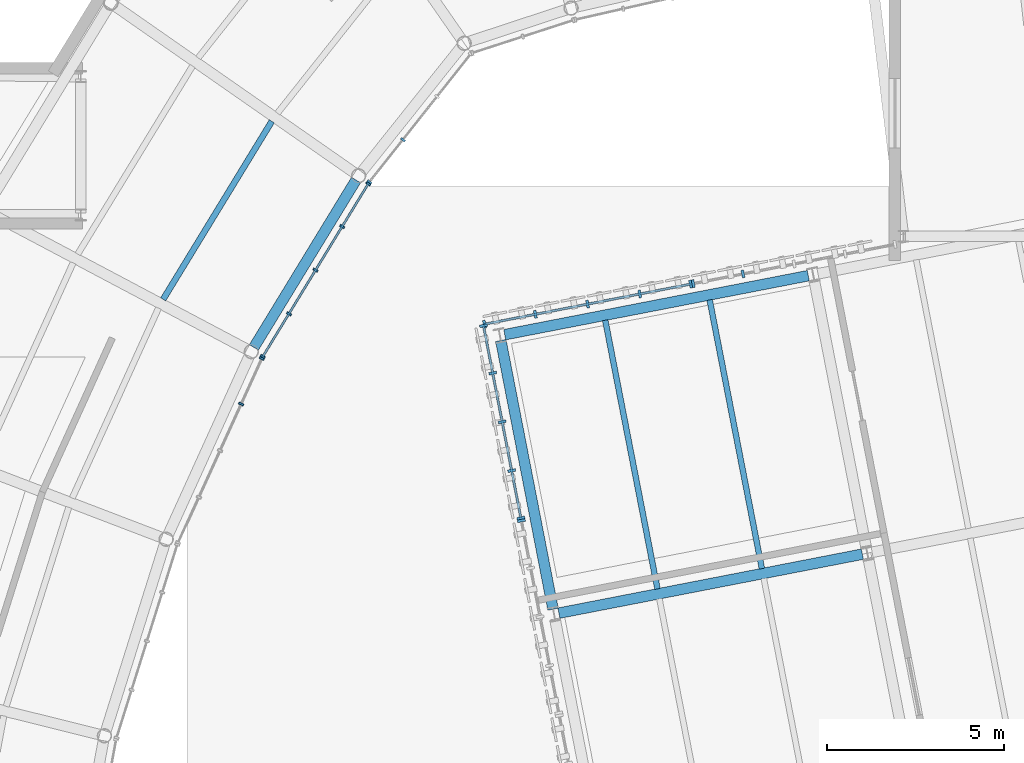
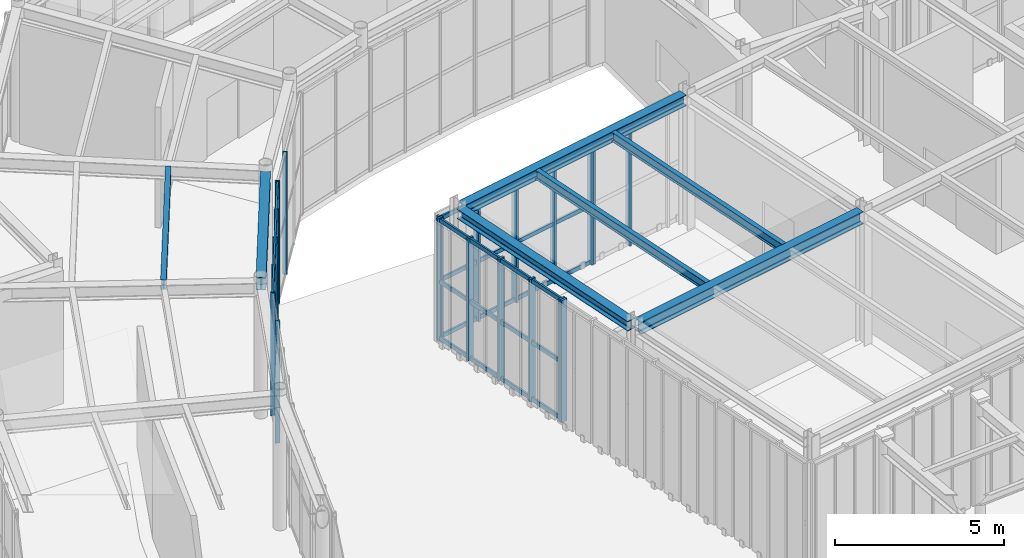
# One storey, part 41 of 97: 31 members, 7 beams, 7 elements without a shape of their own.
"""IFC4 building model written with IfcOpenShell, lengths in metres."""

from ifc_helpers import new_model, si_unit, direction, frame, origin, origin_2d, place, context, subcontext, project, spatial, rectangle, i_section, extrude, material, material_profile, profile_set, type_object, element, aggregate, save


model = new_model("IFC4")

# Units and contexts
model_context = context("Model", 3, precision=1e-05, world=origin(), true_north=direction((0.0, 1.0)))
body_context = subcontext(model_context, "Body", "Model", "MODEL_VIEW")
ifc_project = project(units=[si_unit("LENGTHUNIT", "METRE"), si_unit("AREAUNIT", "SQUARE_METRE"), si_unit("VOLUMEUNIT", "CUBIC_METRE"), si_unit("PLANEANGLEUNIT", "RADIAN"), si_unit("MASSUNIT", "GRAM", prefix="KILO")], contexts=[model_context])

# Site, building, storey
site_placement = place(None, origin())
site = spatial("IfcSite", under=ifc_project, at=site_placement, CompositionType="ELEMENT")
building_placement = place(site_placement, origin())
building = spatial("IfcBuilding", under=site, at=building_placement, Name="Varnklinge Art Gallery", CompositionType="ELEMENT")
storey_placement = place(building_placement, origin())
storey = spatial("IfcBuildingStorey", under=building, at=storey_placement, Name="L00", CompositionType="ELEMENT", Elevation=0.0)

# Beams
ifc_material_1 = material(Name="Steel S355", Category="steel")
ifc_material_profile_1 = material_profile(ifc_material_1, i_section(OverallWidth=0.300048828125, OverallDepth=0.43994140625, WebThickness=0.011474609375, FlangeThickness=0.02099609375, FilletRadius=0.027099609375, at=origin_2d()), Name="HEA 450")
ifc_profile_set_1 = profile_set([ifc_material_profile_1], Name="Steel S355")
beam_type_1 = type_object("IfcBeamType", Name="BM-08", PredefinedType="BEAM", material=ifc_profile_set_1)
beam_1_placement = place(storey_placement, frame((62.483642578125, 69.969970703125, 4.659912109375), z_axis=(0.981628064538, 0.190804462503, 0.0), x_axis=(-0.190804462503, 0.981628064538, 0.0)))
element("IfcBeam", 1, at=beam_1_placement, inside=storey, type_object=beam_type_1, Name="L00 BM-08 BM-V4B-L01-U1-0", PredefinedType="BEAM", context=body_context, shape_type="SweptSolid", body=[
    extrude(i_section(OverallWidth=0.300048828125, OverallDepth=0.43994140625, WebThickness=0.011474609375, FlangeThickness=0.02099609375, FilletRadius=0.027099609375, at=origin_2d()), origin(), (0.0, 0.0, 1.0), 8.719970703125),
])
ifc_material_2 = material(Name="Steel S355", Category="steel")
ifc_material_profile_2 = material_profile(ifc_material_2, i_section(OverallWidth=0.169921875, OverallDepth=0.360107421875, WebThickness=0.008056640625, FlangeThickness=0.0126953125, FilletRadius=0.01806640625, at=origin_2d()), Name="IPE 360")
ifc_profile_set_2 = profile_set([ifc_material_profile_2], Name="Steel S355")
beam_type_2 = type_object("IfcBeamType", Name="JST-06", PredefinedType="JOIST", material=ifc_profile_set_2)
beam_2_placement = place(storey_placement, frame((54.388427734375, 83.84033203125, 4.699951171875), z_axis=(-0.520951279717, -0.853586412826, 0.0), x_axis=(0.853586412826, -0.520951279717, 0.0)))
element("IfcBeam", 2, at=beam_2_placement, inside=storey, type_object=beam_type_2, Name="L00 JST-06 JST-V2-L01-22-2", PredefinedType="JOIST", context=body_context, shape_type="SweptSolid", body=[
    extrude(i_section(OverallWidth=0.169921875, OverallDepth=0.360107421875, WebThickness=0.008056640625, FlangeThickness=0.0126953125, FilletRadius=0.01806640625, at=origin_2d()), origin(), (0.0, 0.0, 1.0), 5.8818359375),
])
ifc_material_3 = material(Name="Steel S355", Category="steel")
ifc_material_profile_3 = material_profile(ifc_material_3, i_section(OverallWidth=0.159912109375, OverallDepth=0.330078125, WebThickness=0.007568359375, FlangeThickness=0.011474609375, FilletRadius=0.01806640625, at=origin_2d()), Name="IPE 330")
ifc_profile_set_3 = profile_set([ifc_material_profile_3], Name="Steel S355")
beam_type_3 = type_object("IfcBeamType", Name="JST-07", PredefinedType="JOIST", material=ifc_profile_set_3)
beam_3_placement = place(storey_placement, frame((65.264404296875, 70.653076171875, 4.715087890625), z_axis=(-0.190822257393, 0.98162460548, 0.0), x_axis=(-0.98162460548, -0.190822257393, 0.0)))
element("IfcBeam", 3, at=beam_3_placement, inside=storey, type_object=beam_type_3, Name="L00 JST-07 JST-V4B-L01-0-1-1", PredefinedType="JOIST", context=body_context, shape_type="SweptSolid", body=[
    extrude(i_section(OverallWidth=0.159912109375, OverallDepth=0.330078125, WebThickness=0.007568359375, FlangeThickness=0.011474609375, FilletRadius=0.01806640625, at=origin_2d()), origin(), (0.0, 0.0, 1.0), 7.719970703125),
])
beam_4_placement = place(storey_placement, frame((68.209228515625, 71.225341796875, 4.715087890625), z_axis=(-0.190816333803, 0.981625756974, 0.0), x_axis=(-0.981625756974, -0.190816333803, 0.0)))
element("IfcBeam", 4, at=beam_4_placement, inside=storey, type_object=beam_type_3, Name="L00 JST-07 JST-V4B-L01-0-1-2", PredefinedType="JOIST", context=body_context, shape_type="SweptSolid", body=[
    extrude(i_section(OverallWidth=0.159912109375, OverallDepth=0.330078125, WebThickness=0.007568359375, FlangeThickness=0.011474609375, FilletRadius=0.01806640625, at=origin_2d()), origin(), (0.0, 0.0, 1.0), 7.72021484375),
])

# Curtain wall, members
ifc_material_4 = material(Name="Anodised Aluminium", Category="aluminium")
curtain_wall_type_1 = type_object("IfcCurtainWallType", Name="CW-L01", PredefinedType="USERDEFINED", material=ifc_material_4)
curtain_wall_1_placement = place(storey_placement, origin())
curtain_wall_1 = element("IfcCurtainWall", 5, at=curtain_wall_1_placement, inside=storey, type_object=curtain_wall_type_1, Name="L00 Curtain Wall CW-V4B-L00-3-2-1", ObjectType="UNITISED CURTAIN WALL", PredefinedType="USERDEFINED")
ifc_material_5 = material(Name="Anodised Aluminium", Category="aluminium")
ifc_material_profile_4 = material_profile(ifc_material_5, rectangle(XDim=0.074951171875, YDim=0.219970703125, at=origin_2d()), Name="ALU 75x220")
ifc_profile_set_4 = profile_set([ifc_material_profile_4], Name="Anodised Aluminium")
member_type_1 = type_object("IfcMemberType", Name="MUL-02", PredefinedType="MULLION", material=ifc_profile_set_4)
member_1_placement = place(storey_placement, frame((67.676513671875, 79.53662109375, 0.0), z_axis=(0.0, 0.0, 1.0), x_axis=(-0.981627183448, -0.190808995377, 0.0)))
member_1 = element("IfcMember", 6, at=member_1_placement, type_object=member_type_1, Name="CW-V4B-L00-3-2-1 Mullion 4", PredefinedType="MULLION", context=body_context, shape_type="SweptSolid", body=[
    extrude(rectangle(XDim=0.074951171875, YDim=0.219970703125, at=origin_2d()), origin(), (0.0, 0.0, 1.0), 4.429931640625),
])
member_2_placement = place(storey_placement, frame((66.272216796875, 79.263671875, 0.0), z_axis=(0.0, 0.0, 1.0), x_axis=(-0.981627183448, -0.190808995377, 0.0)))
member_2 = element("IfcMember", 7, at=member_2_placement, type_object=member_type_1, Name="CW-V4B-L00-3-2-1 Mullion 5", PredefinedType="MULLION", context=body_context, shape_type="SweptSolid", body=[
    extrude(rectangle(XDim=0.074951171875, YDim=0.219970703125, at=origin_2d()), origin(), (0.0, 0.0, 1.0), 4.429931640625),
])
aggregate(curtain_wall_1, [member_1, member_2])

curtain_wall_2_placement = place(storey_placement, origin())
curtain_wall_2 = element("IfcCurtainWall", 8, at=curtain_wall_2_placement, inside=storey, type_object=curtain_wall_type_1, Name="L00 Curtain Wall CW-V4B-L00-3-2-2", ObjectType="UNITISED CURTAIN WALL", PredefinedType="USERDEFINED")
member_3_placement = place(storey_placement, frame((66.198486328125, 79.249267578125, 0.0), z_axis=(0.0, 0.0, 1.0), x_axis=(-0.981627183448, -0.190808995377, 0.0)))
member_3 = element("IfcMember", 9, at=member_3_placement, type_object=member_type_1, Name="CW-V4B-L00-3-2-2 Mullion 1", PredefinedType="MULLION", context=body_context, shape_type="SweptSolid", body=[
    extrude(rectangle(XDim=0.074951171875, YDim=0.219970703125, at=origin_2d()), origin(), (0.0, 0.0, 1.0), 4.429931640625),
])
member_4_placement = place(storey_placement, frame((64.76416015625, 78.970458984375, 0.0), z_axis=(0.0, 0.0, 1.0), x_axis=(-0.981627183448, -0.190808995377, 0.0)))
member_4 = element("IfcMember", 10, at=member_4_placement, type_object=member_type_1, Name="CW-V4B-L00-3-2-2 Mullion 2", PredefinedType="MULLION", context=body_context, shape_type="SweptSolid", body=[
    extrude(rectangle(XDim=0.074951171875, YDim=0.219970703125, at=origin_2d()), origin(), (0.0, 0.0, 1.0), 4.429931640625),
])
member_5_placement = place(storey_placement, frame((63.29296875, 78.684326171875, 0.0), z_axis=(0.0, 0.0, 1.0), x_axis=(-0.981627183448, -0.190808995377, 0.0)))
member_5 = element("IfcMember", 11, at=member_5_placement, type_object=member_type_1, Name="CW-V4B-L00-3-2-2 Mullion 3", PredefinedType="MULLION", context=body_context, shape_type="SweptSolid", body=[
    extrude(rectangle(XDim=0.074951171875, YDim=0.219970703125, at=origin_2d()), origin(), (0.0, 0.0, 1.0), 4.429931640625),
])
member_6_placement = place(storey_placement, frame((61.82177734375, 78.3984375, 0.0), z_axis=(0.0, 0.0, 1.0), x_axis=(-0.981627183448, -0.190808995377, 0.0)))
member_6 = element("IfcMember", 12, at=member_6_placement, type_object=member_type_1, Name="CW-V4B-L00-3-2-2 Mullion 4", PredefinedType="MULLION", context=body_context, shape_type="SweptSolid", body=[
    extrude(rectangle(XDim=0.074951171875, YDim=0.219970703125, at=origin_2d()), origin(), (0.0, 0.0, 1.0), 4.429931640625),
])
member_7_placement = place(storey_placement, frame((60.387451171875, 78.11962890625, 0.0), z_axis=(0.0, 0.0, 1.0), x_axis=(-0.981627183448, -0.190808995377, 0.0)))
member_7 = element("IfcMember", 13, at=member_7_placement, type_object=member_type_1, Name="CW-V4B-L00-3-2-2 Mullion 5", PredefinedType="MULLION", context=body_context, shape_type="SweptSolid", body=[
    extrude(rectangle(XDim=0.074951171875, YDim=0.219970703125, at=origin_2d()), origin(), (0.0, 0.0, 1.0), 4.429931640625),
])

ifc_material_6 = material(Name="Anodised Aluminium", Category="aluminium")
curtain_wall_type_2 = type_object("IfcCurtainWallType", Name="CW-L05", PredefinedType="USERDEFINED", material=ifc_material_6)
curtain_wall_3_placement = place(storey_placement, origin())
curtain_wall_3 = element("IfcCurtainWall", 14, at=curtain_wall_3_placement, inside=storey, type_object=curtain_wall_type_2, Name="L00 Curtain Wall CW-V4B-L00-4-1-1", ObjectType="UNITISED CURTAIN WALL", PredefinedType="USERDEFINED")
member_8_placement = place(storey_placement, frame((60.35791015625, 78.07568359375, 0.0), z_axis=(0.0, 0.0, 1.0), x_axis=(0.190808995377, -0.981627183448, 0.0)))
member_8 = element("IfcMember", 15, at=member_8_placement, type_object=member_type_1, Name="CW-V4B-L00-4-1-1 Mullion 1", PredefinedType="MULLION", context=body_context, shape_type="SweptSolid", body=[
    extrude(rectangle(XDim=0.074951171875, YDim=0.219970703125, at=origin_2d()), origin(), (0.0, 0.0, 1.0), 4.429931640625),
])
member_9_placement = place(storey_placement, frame((60.617919921875, 76.73828125, 0.0), z_axis=(0.0, 0.0, 1.0), x_axis=(0.190808995377, -0.981627183448, 0.0)))
member_9 = element("IfcMember", 16, at=member_9_placement, type_object=member_type_1, Name="CW-V4B-L00-4-1-1 Mullion 2", PredefinedType="MULLION", context=body_context, shape_type="SweptSolid", body=[
    extrude(rectangle(XDim=0.074951171875, YDim=0.219970703125, at=origin_2d()), origin(), (0.0, 0.0, 1.0), 4.429931640625),
])
member_10_placement = place(storey_placement, frame((60.885009765625, 75.364013671875, 0.0), z_axis=(0.0, 0.0, 1.0), x_axis=(0.190808995377, -0.981627183448, 0.0)))
member_10 = element("IfcMember", 17, at=member_10_placement, type_object=member_type_1, Name="CW-V4B-L00-4-1-1 Mullion 3", PredefinedType="MULLION", context=body_context, shape_type="SweptSolid", body=[
    extrude(rectangle(XDim=0.074951171875, YDim=0.219970703125, at=origin_2d()), origin(), (0.0, 0.0, 1.0), 4.429931640625),
])
member_11_placement = place(storey_placement, frame((61.152099609375, 73.98974609375, 0.0), z_axis=(0.0, 0.0, 1.0), x_axis=(0.190808995377, -0.981627183448, 0.0)))
member_11 = element("IfcMember", 18, at=member_11_placement, type_object=member_type_1, Name="CW-V4B-L00-4-1-1 Mullion 4", PredefinedType="MULLION", context=body_context, shape_type="SweptSolid", body=[
    extrude(rectangle(XDim=0.074951171875, YDim=0.219970703125, at=origin_2d()), origin(), (0.0, 0.0, 1.0), 4.429931640625),
])
member_12_placement = place(storey_placement, frame((61.412109375, 72.652099609375, 0.0), z_axis=(0.0, 0.0, 1.0), x_axis=(0.190808995377, -0.981627183448, 0.0)))
member_12 = element("IfcMember", 19, at=member_12_placement, type_object=member_type_1, Name="CW-V4B-L00-4-1-1 Mullion 5", PredefinedType="MULLION", context=body_context, shape_type="SweptSolid", body=[
    extrude(rectangle(XDim=0.074951171875, YDim=0.219970703125, at=origin_2d()), origin(), (0.0, 0.0, 1.0), 4.429931640625),
])

# Curtain wall, member
curtain_wall_4_placement = place(storey_placement, origin())
curtain_wall_4 = element("IfcCurtainWall", 20, at=curtain_wall_4_placement, inside=storey, type_object=curtain_wall_type_2, Name="L00 Curtain Wall CW-V4B-L00-4-1-2", ObjectType="UNITISED CURTAIN WALL", PredefinedType="USERDEFINED")
member_13_placement = place(storey_placement, frame((61.426513671875, 72.57861328125, 0.0), z_axis=(0.0, 0.0, 1.0), x_axis=(0.190808995377, -0.981627183448, 0.0)))
member_13 = element("IfcMember", 21, at=member_13_placement, type_object=member_type_1, Name="CW-V4B-L00-4-1-2 Mullion 1", PredefinedType="MULLION", context=body_context, shape_type="SweptSolid", body=[
    extrude(rectangle(XDim=0.074951171875, YDim=0.219970703125, at=origin_2d()), origin(), (0.0, 0.0, 1.0), 4.429931640625),
])
aggregate(curtain_wall_4, [member_13])

# Curtain wall, members
ifc_material_7 = material(Name="Anodised Aluminium", Category="aluminium")
curtain_wall_type_3 = type_object("IfcCurtainWallType", Name="CW-R03", PredefinedType="USERDEFINED", material=ifc_material_7)
curtain_wall_5_placement = place(storey_placement, origin())
curtain_wall_5 = element("IfcCurtainWall", 22, at=curtain_wall_5_placement, inside=storey, type_object=curtain_wall_type_3, Name="L00 Curtain Wall CW-V2I-L00-21", ObjectType="UNITISED CURTAIN WALL", PredefinedType="USERDEFINED")
ifc_material_8 = material(Name="Anodised Aluminium", Category="aluminium")
ifc_material_profile_5 = material_profile(ifc_material_8, rectangle(XDim=0.06005859375, YDim=0.139892578125, at=origin_2d()), Name="ALU 60x140")
ifc_profile_set_5 = profile_set([ifc_material_profile_5], Name="Anodised Aluminium")
member_type_2 = type_object("IfcMemberType", Name="MUL-03", PredefinedType="MULLION", material=ifc_profile_set_5)
member_14_placement = place(storey_placement, frame((57.142578125, 82.127197265625, 0.0), z_axis=(0.0, 0.0, 1.0), x_axis=(0.620737354217, 0.784018582101, 0.0)))
member_14 = element("IfcMember", 23, at=member_14_placement, type_object=member_type_2, Name="CW-V2I-L00-21 Mullion 1", PredefinedType="MULLION", context=body_context, shape_type="SweptSolid", body=[
    extrude(rectangle(XDim=0.06005859375, YDim=0.139892578125, at=origin_2d()), origin(), (0.0, 0.0, 1.0), 4.429931640625),
])
member_15_placement = place(storey_placement, frame((58.08740234375, 83.3203125, 0.0), z_axis=(0.0, 0.0, 1.0), x_axis=(0.620737354217, 0.784018582101, 0.0)))
member_15 = element("IfcMember", 24, at=member_15_placement, type_object=member_type_2, Name="CW-V2I-L00-21 Mullion 2", PredefinedType="MULLION", context=body_context, shape_type="SweptSolid", body=[
    extrude(rectangle(XDim=0.06005859375, YDim=0.139892578125, at=origin_2d()), origin(), (0.0, 0.0, 1.0), 4.429931640625),
])
aggregate(curtain_wall_5, [member_14, member_15])

curtain_wall_6_placement = place(storey_placement, origin())
curtain_wall_6 = element("IfcCurtainWall", 25, at=curtain_wall_6_placement, inside=storey, type_object=curtain_wall_type_3, Name="L00 Curtain Wall CW-V2I-L00-22", ObjectType="UNITISED CURTAIN WALL", PredefinedType="USERDEFINED")
member_16_placement = place(storey_placement, frame((54.13525390625, 77.206298828125, 0.0), z_axis=(0.0, 0.0, 1.0), x_axis=(0.520860651188, 0.85364171761, 0.0)))
member_16 = element("IfcMember", 26, at=member_16_placement, type_object=member_type_2, Name="CW-V2I-L00-22 Mullion 1", PredefinedType="MULLION", context=body_context, shape_type="SweptSolid", body=[
    extrude(rectangle(XDim=0.06005859375, YDim=0.139892578125, at=origin_2d()), origin(), (0.0, 0.0, 1.0), 4.429931640625),
])
member_17_placement = place(storey_placement, frame((54.870849609375, 78.41162109375, 0.0), z_axis=(0.0, 0.0, 1.0), x_axis=(0.520860651188, 0.85364171761, 0.0)))
member_17 = element("IfcMember", 27, at=member_17_placement, type_object=member_type_2, Name="CW-V2I-L00-22 Mullion 2", PredefinedType="MULLION", context=body_context, shape_type="SweptSolid", body=[
    extrude(rectangle(XDim=0.06005859375, YDim=0.139892578125, at=origin_2d()), origin(), (0.0, 0.0, 1.0), 4.429931640625),
])
member_18_placement = place(storey_placement, frame((55.621826171875, 79.64208984375, 0.0), z_axis=(0.0, 0.0, 1.0), x_axis=(0.520860651188, 0.85364171761, 0.0)))
member_18 = element("IfcMember", 28, at=member_18_placement, type_object=member_type_2, Name="CW-V2I-L00-22 Mullion 3", PredefinedType="MULLION", context=body_context, shape_type="SweptSolid", body=[
    extrude(rectangle(XDim=0.06005859375, YDim=0.139892578125, at=origin_2d()), origin(), (0.0, 0.0, 1.0), 4.429931640625),
])
member_19_placement = place(storey_placement, frame((56.372802734375, 80.872802734375, 0.0), z_axis=(0.0, 0.0, 1.0), x_axis=(0.520860651188, 0.85364171761, 0.0)))
member_19 = element("IfcMember", 29, at=member_19_placement, type_object=member_type_2, Name="CW-V2I-L00-22 Mullion 4", PredefinedType="MULLION", context=body_context, shape_type="SweptSolid", body=[
    extrude(rectangle(XDim=0.06005859375, YDim=0.139892578125, at=origin_2d()), origin(), (0.0, 0.0, 1.0), 4.429931640625),
])
member_20_placement = place(storey_placement, frame((57.1083984375, 82.077880859375, 0.0), z_axis=(0.0, 0.0, 1.0), x_axis=(0.520860651188, 0.85364171761, 0.0)))
member_20 = element("IfcMember", 30, at=member_20_placement, type_object=member_type_2, Name="CW-V2I-L00-22 Mullion 5", PredefinedType="MULLION", context=body_context, shape_type="SweptSolid", body=[
    extrude(rectangle(XDim=0.06005859375, YDim=0.139892578125, at=origin_2d()), origin(), (0.0, 0.0, 1.0), 4.429931640625),
])

curtain_wall_7_placement = place(storey_placement, origin())
curtain_wall_7 = element("IfcCurtainWall", 31, at=curtain_wall_7_placement, inside=storey, type_object=curtain_wall_type_3, Name="L00 Curtain Wall CW-V2I-L00-23", ObjectType="UNITISED CURTAIN WALL", PredefinedType="USERDEFINED")
member_21_placement = place(storey_placement, frame((53.523681640625, 75.867919921875, 0.0), z_axis=(0.0, 0.0, 1.0), x_axis=(0.413422293217, 0.910539404678, 0.0)))
member_21 = element("IfcMember", 32, at=member_21_placement, type_object=member_type_2, Name="CW-V2I-L00-23 Mullion 4", PredefinedType="MULLION", context=body_context, shape_type="SweptSolid", body=[
    extrude(rectangle(XDim=0.06005859375, YDim=0.139892578125, at=origin_2d()), origin(), (0.0, 0.0, 1.0), 4.429931640625),
])
member_22_placement = place(storey_placement, frame((54.107421875, 77.153564453125, 0.0), z_axis=(0.0, 0.0, 1.0), x_axis=(0.413422293217, 0.910539404678, 0.0)))
member_22 = element("IfcMember", 33, at=member_22_placement, type_object=member_type_2, Name="CW-V2I-L00-23 Mullion 5", PredefinedType="MULLION", context=body_context, shape_type="SweptSolid", body=[
    extrude(rectangle(XDim=0.06005859375, YDim=0.139892578125, at=origin_2d()), origin(), (0.0, 0.0, 1.0), 4.429931640625),
])
aggregate(curtain_wall_7, [member_21, member_22])

# Beams
ifc_material_9 = material(Name="Steel S355", Category="steel")
ifc_material_profile_6 = material_profile(ifc_material_9, i_section(OverallWidth=0.300048828125, OverallDepth=0.43994140625, WebThickness=0.011474609375, FlangeThickness=0.02099609375, FilletRadius=0.027099609375, at=origin_2d()), Name="HEA 450")
ifc_profile_set_6 = profile_set([ifc_material_profile_6], Name="Steel S355")
beam_type_4 = type_object("IfcBeamType", Name="SPB-02", PredefinedType="SPANDREL", material=ifc_profile_set_6)
beam_5_placement = place(storey_placement, frame((56.763916015625, 82.184326171875, 4.659912109375), z_axis=(-0.520928443414, -0.853600349603, 0.0), x_axis=(0.853600349603, -0.520928443414, 0.0)))
element("IfcBeam", 34, at=beam_5_placement, inside=storey, type_object=beam_type_4, Name="L00 SPB-02 BM-V2-L01-I22", PredefinedType="SPANDREL", context=body_context, shape_type="SweptSolid", body=[
    extrude(i_section(OverallWidth=0.300048828125, OverallDepth=0.43994140625, WebThickness=0.011474609375, FlangeThickness=0.02099609375, FilletRadius=0.027099609375, at=origin_2d()), origin(), (0.0, 0.0, 1.0), 5.52978515625),
])
ifc_material_10 = material(Name="Steel S355", Category="steel")
ifc_material_profile_7 = material_profile(ifc_material_10, i_section(OverallWidth=0.300048828125, OverallDepth=0.389892578125, WebThickness=0.010986328125, FlangeThickness=0.01904296875, FilletRadius=0.027099609375, at=origin_2d()), Name="HEA 400")
ifc_profile_set_7 = profile_set([ifc_material_profile_7], Name="Steel S355")
beam_type_5 = type_object("IfcBeamType", Name="SPB-03", PredefinedType="SPANDREL", material=ifc_profile_set_7)
beam_6_placement = place(storey_placement, frame((60.95703125, 77.822998046875, 4.68505859375), z_axis=(0.981629083791, 0.190799218699, 0.0), x_axis=(-0.190799218699, 0.981629083791, 0.0)))
element("IfcBeam", 35, at=beam_6_placement, inside=storey, type_object=beam_type_5, Name="L00 SPB-03 BM-V4B-L01-U2-0", PredefinedType="SPANDREL", context=body_context, shape_type="SweptSolid", body=[
    extrude(i_section(OverallWidth=0.300048828125, OverallDepth=0.389892578125, WebThickness=0.010986328125, FlangeThickness=0.01904296875, FilletRadius=0.027099609375, at=origin_2d()), origin(), (0.0, 0.0, 1.0), 8.72021484375),
])
ifc_material_11 = material(Name="Steel S355", Category="steel")
ifc_material_profile_8 = material_profile(ifc_material_11, i_section(OverallWidth=0.300048828125, OverallDepth=0.35009765625, WebThickness=0.010009765625, FlangeThickness=0.017578125, FilletRadius=0.027099609375, at=origin_2d()), Name="HEA 360")
ifc_profile_set_8 = profile_set([ifc_material_profile_8], Name="Steel S355")
beam_type_6 = type_object("IfcBeamType", Name="SPB-04", PredefinedType="SPANDREL", material=ifc_profile_set_8)
beam_7_placement = place(storey_placement, frame((62.319580078125, 70.08056640625, 4.705078125), z_axis=(-0.190822257393, 0.98162460548, 0.0), x_axis=(-0.98162460548, -0.190822257393, 0.0)))
element("IfcBeam", 36, at=beam_7_placement, inside=storey, type_object=beam_type_6, Name="L00 SPB-04 BM-V4B-L01-V0-1", PredefinedType="SPANDREL", context=body_context, shape_type="SweptSolid", body=[
    extrude(i_section(OverallWidth=0.300048828125, OverallDepth=0.35009765625, WebThickness=0.010009765625, FlangeThickness=0.017578125, FilletRadius=0.027099609375, at=origin_2d()), origin(), (0.0, 0.0, 1.0), 7.719970703125),
])

# Member
ifc_material_12 = material(Name="Anodised Aluminium", Category="aluminium")
ifc_material_profile_9 = material_profile(ifc_material_12, rectangle(XDim=0.06494140625, YDim=0.14990234375, at=origin_2d()), Name="ALU 65x150")
ifc_profile_set_9 = profile_set([ifc_material_profile_9], Name="Anodised Aluminium")
member_type_3 = type_object("IfcMemberType", Name="TRN-01", PredefinedType="USERDEFINED", material=ifc_profile_set_9)
member_23_placement = place(storey_placement, frame((66.198486328125, 79.249267578125, 0.074951171875), z_axis=(-0.981624403391, -0.19082329697, 0.0), x_axis=(0.19082329697, -0.981624403391, 0.0)))
member_23 = element("IfcMember", 37, at=member_23_placement, type_object=member_type_3, Name="CW-V4B-L00-3-2-2 Transom 1", ObjectType="TRANSOM", PredefinedType="USERDEFINED", context=body_context, shape_type="SweptSolid", body=[
    extrude(rectangle(XDim=0.06494140625, YDim=0.14990234375, at=origin_2d()), origin(), (0.0, 0.0, 1.0), 5.919921875),
])

member_24_placement = place(storey_placement, frame((66.198486328125, 79.249267578125, 2.12646484375), z_axis=(-0.981624403391, -0.19082329697, 0.0), x_axis=(0.19082329697, -0.981624403391, 0.0)))
member_24 = element("IfcMember", 38, at=member_24_placement, type_object=member_type_3, Name="CW-V4B-L00-3-2-2 Transom 2", ObjectType="TRANSOM", PredefinedType="USERDEFINED", context=body_context, shape_type="SweptSolid", body=[
    extrude(rectangle(XDim=0.06494140625, YDim=0.14990234375, at=origin_2d()), origin(), (0.0, 0.0, 1.0), 5.919921875),
])

member_25_placement = place(storey_placement, frame((66.198486328125, 79.249267578125, 4.35498046875), z_axis=(-0.981624403391, -0.19082329697, 0.0), x_axis=(0.19082329697, -0.981624403391, 0.0)))
member_25 = element("IfcMember", 39, at=member_25_placement, type_object=member_type_3, Name="CW-V4B-L00-3-2-2 Transom 3", ObjectType="TRANSOM", PredefinedType="USERDEFINED", context=body_context, shape_type="SweptSolid", body=[
    extrude(rectangle(XDim=0.06494140625, YDim=0.14990234375, at=origin_2d()), origin(), (0.0, 0.0, 1.0), 5.919921875),
])

aggregate(curtain_wall_2, [member_3, member_4, member_5, member_6, member_7, member_23, member_24, member_25])

member_26_placement = place(storey_placement, frame((60.35791015625, 78.07568359375, 0.074951171875), z_axis=(0.190802243749, -0.981628495807, 0.0), x_axis=(0.981628495807, 0.190802243749, 0.0)))
member_26 = element("IfcMember", 40, at=member_26_placement, type_object=member_type_3, Name="CW-V4B-L00-4-1-1 Transom 1", ObjectType="TRANSOM", PredefinedType="USERDEFINED", context=body_context, shape_type="SweptSolid", body=[
    extrude(rectangle(XDim=0.06494140625, YDim=0.14990234375, at=origin_2d()), origin(), (0.0, 0.0, 1.0), 5.525146484375),
])

member_27_placement = place(storey_placement, frame((60.35791015625, 78.07568359375, 2.12646484375), z_axis=(0.190802243749, -0.981628495807, 0.0), x_axis=(0.981628495807, 0.190802243749, 0.0)))
member_27 = element("IfcMember", 41, at=member_27_placement, type_object=member_type_3, Name="CW-V4B-L00-4-1-1 Transom 2", ObjectType="TRANSOM", PredefinedType="USERDEFINED", context=body_context, shape_type="SweptSolid", body=[
    extrude(rectangle(XDim=0.06494140625, YDim=0.14990234375, at=origin_2d()), origin(), (0.0, 0.0, 1.0), 5.525146484375),
])

member_28_placement = place(storey_placement, frame((60.35791015625, 78.07568359375, 4.35498046875), z_axis=(0.190802243749, -0.981628495807, 0.0), x_axis=(0.981628495807, 0.190802243749, 0.0)))
member_28 = element("IfcMember", 42, at=member_28_placement, type_object=member_type_3, Name="CW-V4B-L00-4-1-1 Transom 3", ObjectType="TRANSOM", PredefinedType="USERDEFINED", context=body_context, shape_type="SweptSolid", body=[
    extrude(rectangle(XDim=0.06494140625, YDim=0.14990234375, at=origin_2d()), origin(), (0.0, 0.0, 1.0), 5.525146484375),
])

aggregate(curtain_wall_3, [member_8, member_9, member_10, member_11, member_12, member_26, member_27, member_28])

ifc_material_13 = material(Name="Anodised Aluminium", Category="aluminium")
ifc_material_profile_10 = material_profile(ifc_material_13, rectangle(XDim=0.06005859375, YDim=0.1201171875, at=origin_2d()), Name="ALU 60x120")
ifc_profile_set_10 = profile_set([ifc_material_profile_10], Name="Anodised Aluminium")
member_type_4 = type_object("IfcMemberType", Name="TRN-02", PredefinedType="USERDEFINED", material=ifc_profile_set_10)
member_29_placement = place(storey_placement, frame((54.13525390625, 77.206298828125, 0.06005859375), z_axis=(0.520948121202, 0.853588340488, 0.0), x_axis=(-0.853588340488, 0.520948121202, 0.0)))
member_29 = element("IfcMember", 43, at=member_29_placement, type_object=member_type_4, Name="CW-V2I-L00-22 Transom 1", ObjectType="TRANSOM", PredefinedType="USERDEFINED", context=body_context, shape_type="SweptSolid", body=[
    extrude(rectangle(XDim=0.06005859375, YDim=0.1201171875, at=origin_2d()), origin(), (0.0, 0.0, 1.0), 5.707275390625),
])

member_30_placement = place(storey_placement, frame((54.13525390625, 77.206298828125, 2.12646484375), z_axis=(0.520948121202, 0.853588340488, 0.0), x_axis=(-0.853588340488, 0.520948121202, 0.0)))
member_30 = element("IfcMember", 44, at=member_30_placement, type_object=member_type_4, Name="CW-V2I-L00-22 Transom 2", ObjectType="TRANSOM", PredefinedType="USERDEFINED", context=body_context, shape_type="SweptSolid", body=[
    extrude(rectangle(XDim=0.06005859375, YDim=0.1201171875, at=origin_2d()), origin(), (0.0, 0.0, 1.0), 5.707275390625),
])

member_31_placement = place(storey_placement, frame((54.13525390625, 77.206298828125, 4.3701171875), z_axis=(0.520948121202, 0.853588340488, 0.0), x_axis=(-0.853588340488, 0.520948121202, 0.0)))
member_31 = element("IfcMember", 45, at=member_31_placement, type_object=member_type_4, Name="CW-V2I-L00-22 Transom 3", ObjectType="TRANSOM", PredefinedType="USERDEFINED", context=body_context, shape_type="SweptSolid", body=[
    extrude(rectangle(XDim=0.06005859375, YDim=0.1201171875, at=origin_2d()), origin(), (0.0, 0.0, 1.0), 5.707275390625),
])

aggregate(curtain_wall_6, [member_16, member_17, member_18, member_19, member_20, member_29, member_30, member_31])

save(model, "model.ifc")
